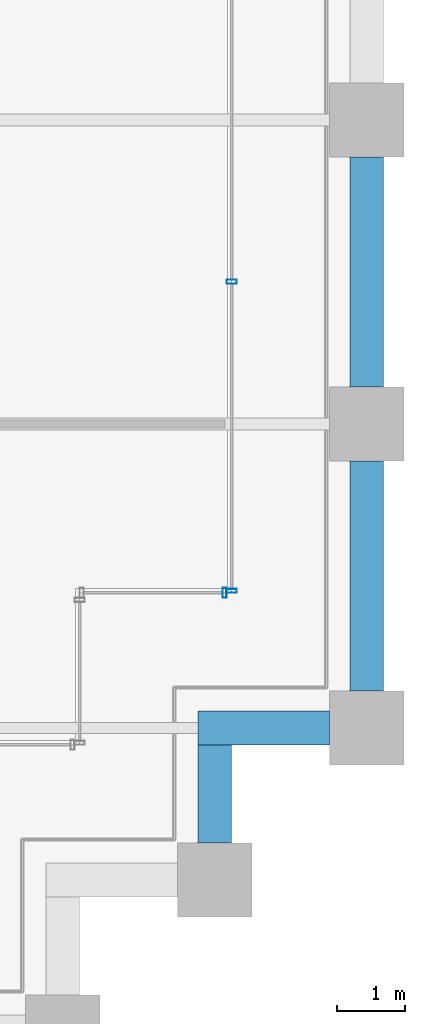
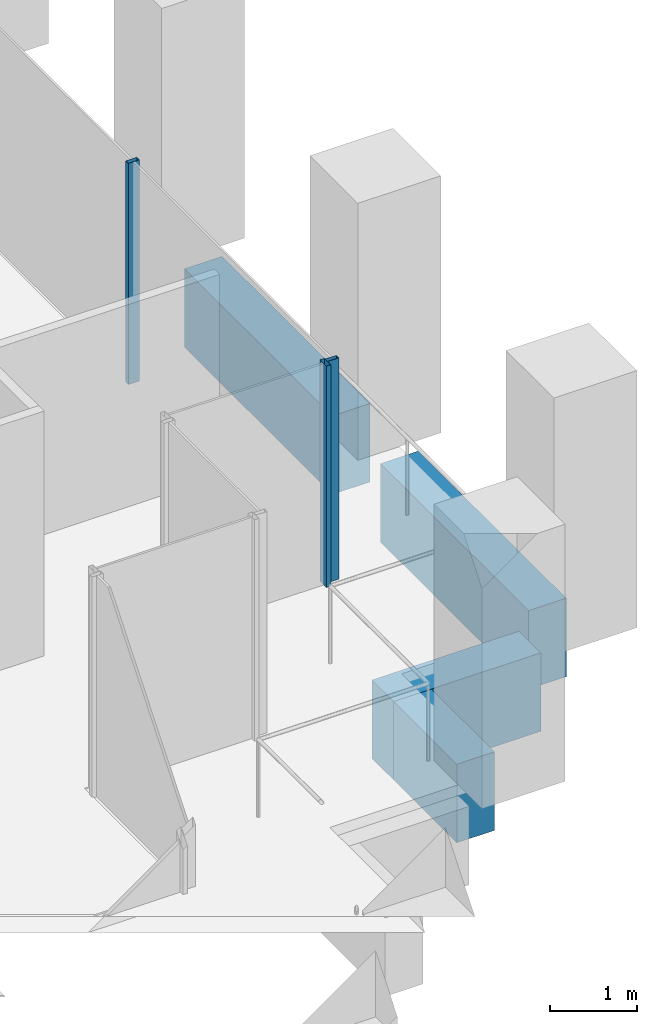
# One storey, part 46 of 56: 4 beams, 3 members, 2 elements without a shape of their own.
"""IFC4 building model written with IfcOpenShell, lengths in metres."""

from ifc_helpers import new_model, si_unit, direction, frame, origin, origin_2d, place, context, subcontext, project, spatial, rectangle, hollow_rectangle, extrude, material, material_profile, profile_set, type_object, element, aggregate, save


model = new_model("IFC4")

# Units and contexts
model_context = context("Model", 3, precision=1e-05, world=origin(), true_north=direction((0.0, 1.0)))
body_context = subcontext(model_context, "Body", "Model", "MODEL_VIEW")
ifc_project = project(units=[si_unit("LENGTHUNIT", "METRE"), si_unit("AREAUNIT", "SQUARE_METRE"), si_unit("VOLUMEUNIT", "CUBIC_METRE"), si_unit("PLANEANGLEUNIT", "RADIAN"), si_unit("MASSUNIT", "GRAM", prefix="KILO")], contexts=[model_context])

# Site, building, storey
site_placement = place(None, origin())
site = spatial("IfcSite", under=ifc_project, at=site_placement, CompositionType="ELEMENT")
building_placement = place(site_placement, origin())
building = spatial("IfcBuilding", under=site, at=building_placement, Name="Altepetl Exchange Towers", CompositionType="ELEMENT")
storey_placement = place(building_placement, frame((0.0, 0.0, 51.0)))
storey = spatial("IfcBuildingStorey", under=building, at=storey_placement, Name="L11", CompositionType="ELEMENT", Elevation=51.0)

# Curtain wall, member
ifc_material_1 = material(Name="Aluminium 6063-T6 glazing", Category="aluminium")
curtain_wall_type = type_object("IfcCurtainWallType", Name="Loggia glazing system", PredefinedType="NOTDEFINED", material=ifc_material_1)
curtain_wall_1_placement = place(storey_placement, origin())
curtain_wall_1 = element("IfcCurtainWall", 1, at=curtain_wall_1_placement, inside=storey, type_object=curtain_wall_type, Name="CW1 run", PredefinedType="NOTDEFINED")
ifc_material_2 = material(Name="Aluminium 6063-T6", Category="aluminium")
ifc_material_profile_1 = material_profile(ifc_material_2, hollow_rectangle(XDim=0.06005859375, YDim=0.14990234375, WallThickness=0.0029296875, at=origin_2d()), Name="Mullion 60x150 aluminium")
ifc_profile_set_1 = profile_set([ifc_material_profile_1], Name="Aluminium 6063-T6")
member_type = type_object("IfcMemberType", Name="Mullion 60x150 aluminium", PredefinedType="MULLION", material=ifc_profile_set_1)
member_1_placement = place(storey_placement, frame((123.89501953125, 33.5, 0.0)))
member_1 = element("IfcMember", 2, at=member_1_placement, type_object=member_type, Name="MU1 mullion", PredefinedType="MULLION", context=body_context, shape_type="SweptSolid", body=[
    extrude(hollow_rectangle(XDim=0.06005859375, YDim=0.14990234375, WallThickness=0.0029296875, at=origin_2d()), origin(), (0.0, 0.0, 1.0), 3.10009765625),
])
aggregate(curtain_wall_1, [member_1])

# Curtain wall, members
curtain_wall_2_placement = place(storey_placement, origin())
curtain_wall_2 = element("IfcCurtainWall", 3, at=curtain_wall_2_placement, inside=storey, type_object=curtain_wall_type, Name="CW1 run", PredefinedType="NOTDEFINED")
member_2_placement = place(storey_placement, frame((124.0, 33.530029296875, 0.0), z_axis=(0.0, 0.0, 1.0), x_axis=(0.0, 1.0, 0.0)))
member_2 = element("IfcMember", 4, at=member_2_placement, type_object=member_type, Name="MU1 mullion", PredefinedType="MULLION", context=body_context, shape_type="SweptSolid", body=[
    extrude(hollow_rectangle(XDim=0.06005859375, YDim=0.14990234375, WallThickness=0.0029296875, at=origin_2d()), origin(), (0.0, 0.0, 1.0), 3.10009765625),
])
member_3_placement = place(storey_placement, frame((124.0, 38.106201171875, 0.0), z_axis=(0.0, 0.0, 1.0), x_axis=(0.0, 1.0, 0.0)))
member_3 = element("IfcMember", 5, at=member_3_placement, type_object=member_type, Name="MU1 mullion", PredefinedType="MULLION", context=body_context, shape_type="SweptSolid", body=[
    extrude(hollow_rectangle(XDim=0.06005859375, YDim=0.14990234375, WallThickness=0.0029296875, at=origin_2d()), origin(), (0.0, 0.0, 1.0), 3.10009765625),
])
aggregate(curtain_wall_2, [member_2, member_3])

# Beams
ifc_material_3 = material(Name="Concrete C50/60 precast with cantera blanca facing", Category="concrete")
ifc_material_profile_2 = material_profile(ifc_material_3, rectangle(XDim=0.5, YDim=1.10009765625, at=origin_2d()), Name="500 x 1100")
ifc_profile_set_2 = profile_set([ifc_material_profile_2], Name="Concrete C50/60 precast with cantera blanca facing")
beam_type = type_object("IfcBeamType", Name="Spandrel beam 500x1100 cantera blanca", PredefinedType="SPANDREL", material=ifc_profile_set_2)
beam_1_placement = place(storey_placement, frame((123.75, 29.800048828125, -0.699951171875), z_axis=(0.0, 1.0, 0.0), x_axis=(-1.0, 0.0, 0.0)))
element("IfcBeam", 6, at=beam_1_placement, inside=storey, type_object=beam_type, Name="sp:B:L11:007", PredefinedType="SPANDREL", context=body_context, shape_type="SweptSolid", body=[
    extrude(rectangle(XDim=0.5, YDim=1.10009765625, at=origin_2d()), origin(), (0.0, 0.0, 1.0), 1.449951171875),
])
beam_2_placement = place(storey_placement, frame((123.5, 31.5, -0.699951171875), z_axis=(1.0, 0.0, 0.0), x_axis=(0.0, 1.0, 0.0)))
element("IfcBeam", 7, at=beam_2_placement, inside=storey, type_object=beam_type, Name="sp:B:L11:008", PredefinedType="SPANDREL", context=body_context, shape_type="SweptSolid", body=[
    extrude(rectangle(XDim=0.5, YDim=1.10009765625, at=origin_2d()), origin(), (0.0, 0.0, 1.0), 1.949951171875),
])
for number, where, z_axis, x_axis, name in (
    (8, (126.0, 32.050048828125, -0.699951171875), (0.0, 1.0, 0.0), (-1.0, 0.0, 0.0), "sp:B:L11:009"),
    (9, (126.0, 36.550048828125, -0.699951171875), (0.0, 1.0, 0.0), (-1.0, 0.0, 0.0), "sp:B:L11:010"),
):
    element("IfcBeam", number, at=place(storey_placement, frame(where, z_axis=z_axis, x_axis=x_axis)), inside=storey, type_object=beam_type, Name=name, PredefinedType="SPANDREL", context=body_context, shape_type="SweptSolid", body=[
        extrude(rectangle(XDim=0.5, YDim=1.10009765625, at=origin_2d()), origin(), (0.0, 0.0, 1.0), 3.39990234375),
    ])

save(model, "model.ifc")
